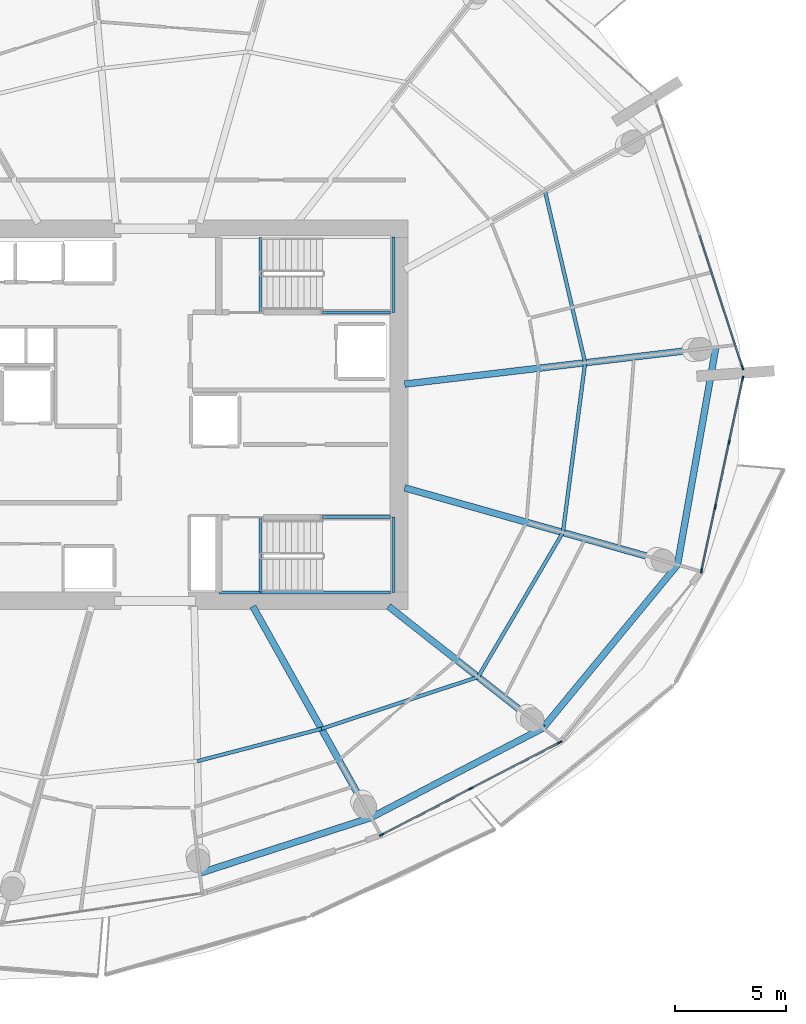
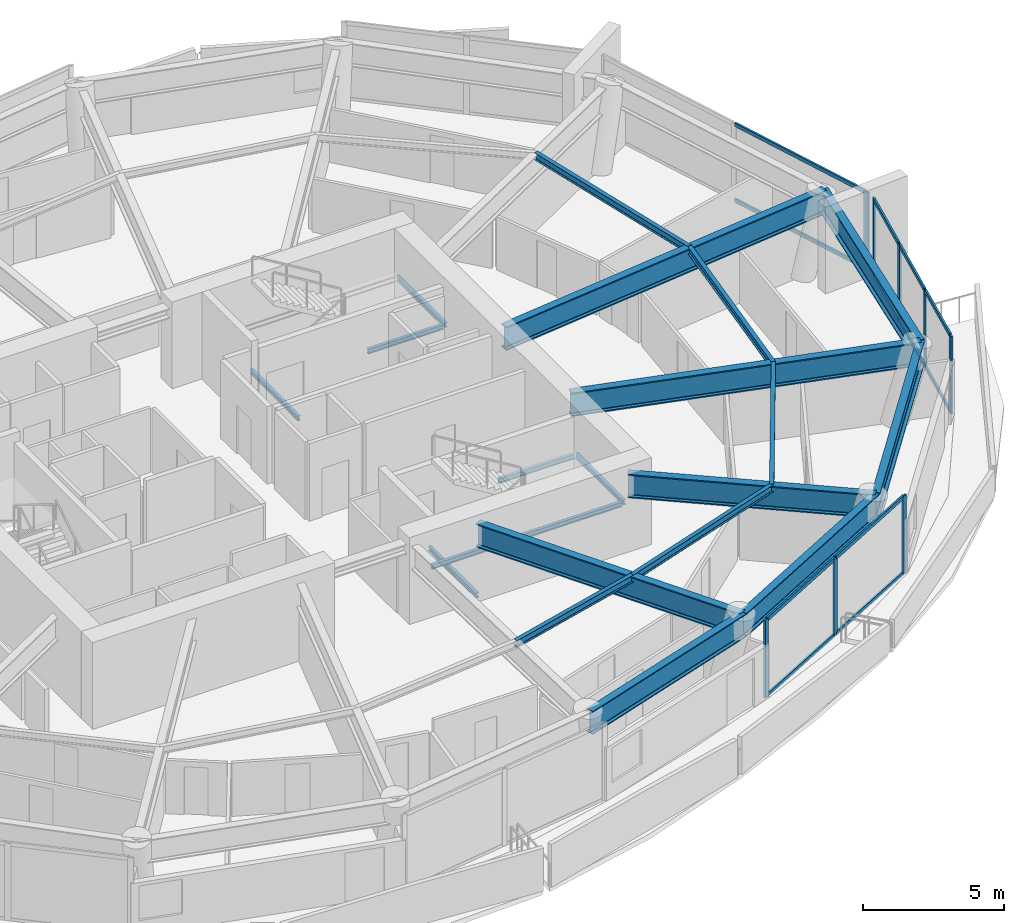
# One storey, part 6 of 19: 20 beams, 20 members, 3 elements without a shape of their own.
"""IFC4 building model written with IfcOpenShell, lengths in metres."""

from ifc_helpers import new_model, si_unit, direction, frame, origin, origin_2d, place, context, subcontext, project, spatial, rectangle, i_section, extrude, material, layer, layer_set, material_profile, profile_set, type_object, element, aggregate, save


model = new_model("IFC4")

# Units and contexts
model_context = context("Model", 3, precision=1e-05, world=origin(), true_north=direction((0.0, 1.0)))
body_context = subcontext(model_context, "Body", "Model", "MODEL_VIEW")
ifc_project = project(units=[si_unit("LENGTHUNIT", "METRE"), si_unit("AREAUNIT", "SQUARE_METRE"), si_unit("VOLUMEUNIT", "CUBIC_METRE"), si_unit("PLANEANGLEUNIT", "RADIAN"), si_unit("MASSUNIT", "GRAM", prefix="KILO")], contexts=[model_context])

# Site, building, storey
site_placement = place(None, origin())
site = spatial("IfcSite", under=ifc_project, at=site_placement, CompositionType="ELEMENT")
building_placement = place(site_placement, origin())
building = spatial("IfcBuilding", under=site, at=building_placement, Name="Kazma Halo Residences", CompositionType="ELEMENT")
storey_placement = place(building_placement, frame((0.0, 0.0, 172.800048828125)))
storey = spatial("IfcBuildingStorey", under=building, at=storey_placement, Name="L43", CompositionType="ELEMENT", Elevation=172.800048828125)

# Beams
ifc_material_1 = material(Name="Steel S355", Category="steel")
ifc_material_profile_1 = material_profile(ifc_material_1, i_section(OverallWidth=0.1650390625, OverallDepth=0.31005859375, WebThickness=0.005859375, FlangeThickness=0.009765625, FilletRadius=0.011962890625, at=origin_2d()), Name="W310x38.7")
ifc_profile_set_1 = profile_set([ifc_material_profile_1], Name="Steel S355")
beam_type_1 = type_object("IfcBeamType", Name="BM-SEC-W310B", PredefinedType="JOIST", material=ifc_profile_set_1)
beam_1_placement = place(storey_placement, frame((50.344970703125, 26.361083984375, 3.195068359375), z_axis=(0.967714475366, 0.252048991599, 0.0), x_axis=(-0.252048991599, 0.967714475366, 0.0)))
element("IfcBeam", 1, at=beam_1_placement, inside=storey, type_object=beam_type_1, Name="L43 circumferential floor joist 12", PredefinedType="JOIST", context=body_context, shape_type="SweptSolid", body=[
    extrude(i_section(OverallWidth=0.1650390625, OverallDepth=0.31005859375, WebThickness=0.005859375, FlangeThickness=0.009765625, FilletRadius=0.011962890625, at=origin_2d()), origin(), (0.0, 0.0, 1.0), 5.78369140625),
])
beam_2_placement = place(storey_placement, frame((55.94189453125, 27.81884765625, 3.195068359375), z_axis=(0.949268079729, 0.314467983756, 0.0), x_axis=(-0.314467983756, 0.949268079729, 0.0)))
element("IfcBeam", 2, at=beam_2_placement, inside=storey, type_object=beam_type_1, Name="L43 circumferential floor joist 13", PredefinedType="JOIST", context=body_context, shape_type="SweptSolid", body=[
    extrude(i_section(OverallWidth=0.1650390625, OverallDepth=0.31005859375, WebThickness=0.005859375, FlangeThickness=0.009765625, FilletRadius=0.011962890625, at=origin_2d()), origin(), (0.0, 0.0, 1.0), 7.452392578125),
])
beam_3_placement = place(storey_placement, frame((63.01611328125, 30.162353515625, 3.195068359375), z_axis=(0.506279372457, 0.862369524638, 0.0), x_axis=(-0.862369524638, 0.506279372457, 0.0)))
element("IfcBeam", 3, at=beam_3_placement, inside=storey, type_object=beam_type_1, Name="L43 circumferential floor joist 14", PredefinedType="JOIST", context=body_context, shape_type="SweptSolid", body=[
    extrude(i_section(OverallWidth=0.1650390625, OverallDepth=0.31005859375, WebThickness=0.005859375, FlangeThickness=0.009765625, FilletRadius=0.011962890625, at=origin_2d()), origin(), (0.0, 0.0, 1.0), 7.563720703125),
])
beam_4_placement = place(storey_placement, frame((66.845458984375, 36.68505859375, 3.195068359375), z_axis=(0.129968373396, 0.991518139984, 0.0), x_axis=(-0.991518139984, 0.129968373396, 0.0)))
element("IfcBeam", 4, at=beam_4_placement, inside=storey, type_object=beam_type_1, Name="L43 circumferential floor joist 15", PredefinedType="JOIST", context=body_context, shape_type="SweptSolid", body=[
    extrude(i_section(OverallWidth=0.1650390625, OverallDepth=0.31005859375, WebThickness=0.005859375, FlangeThickness=0.009765625, FilletRadius=0.011962890625, at=origin_2d()), origin(), (0.0, 0.0, 1.0), 7.72998046875),
])
beam_5_placement = place(storey_placement, frame((67.85009765625, 44.349365234375, 3.195068359375), z_axis=(-0.227801570938, 0.973707576369, 0.0), x_axis=(-0.973707576369, -0.227801570938, 0.0)))
element("IfcBeam", 5, at=beam_5_placement, inside=storey, type_object=beam_type_1, Name="L43 circumferential floor joist 16", PredefinedType="JOIST", context=body_context, shape_type="SweptSolid", body=[
    extrude(i_section(OverallWidth=0.1650390625, OverallDepth=0.31005859375, WebThickness=0.005859375, FlangeThickness=0.009765625, FilletRadius=0.011962890625, at=origin_2d()), origin(), (0.0, 0.0, 1.0), 7.960693359375),
])
ifc_material_profile_2 = material_profile(ifc_material_1, i_section(OverallWidth=0.302001953125, OverallDepth=1.01806640625, WebThickness=0.021484375, FlangeThickness=0.049072265625, FilletRadius=0.028076171875, at=origin_2d()), Name="W1000x443")
ifc_profile_set_2 = profile_set([ifc_material_profile_2], Name="Steel S355")
beam_type_2 = type_object("IfcBeamType", Name="BM-TRANS-W1000A", PredefinedType="BEAM", material=ifc_profile_set_2)
beam_6_placement = place(storey_placement, frame((52.84423828125, 33.35009765625, 2.841064453125), z_axis=(0.488617652452, -0.872498017025, 0.0), x_axis=(0.872498017025, 0.488617652452, 0.0)))
element("IfcBeam", 6, at=beam_6_placement, inside=storey, type_object=beam_type_2, Name="L43 podium radial transfer girder 13", PredefinedType="BEAM", context=body_context, shape_type="SweptSolid", body=[
    extrude(i_section(OverallWidth=0.302001953125, OverallDepth=1.01806640625, WebThickness=0.021484375, FlangeThickness=0.049072265625, FilletRadius=0.028076171875, at=origin_2d()), origin(), (0.0, 0.0, 1.0), 10.929931640625),
])
beam_7_placement = place(storey_placement, frame((58.972412109375, 33.35009765625, 2.841064453125), z_axis=(0.785313390711, -0.619098439967, 0.0), x_axis=(0.619098439967, 0.785313390711, 0.0)))
element("IfcBeam", 7, at=beam_7_placement, inside=storey, type_object=beam_type_2, Name="L43 podium radial transfer girder 14", PredefinedType="BEAM", context=body_context, shape_type="SweptSolid", body=[
    extrude(i_section(OverallWidth=0.302001953125, OverallDepth=1.01806640625, WebThickness=0.021484375, FlangeThickness=0.049072265625, FilletRadius=0.028076171875, at=origin_2d()), origin(), (0.0, 0.0, 1.0), 8.877685546875),
])
beam_8_placement = place(storey_placement, frame((59.699951171875, 38.7001953125, 2.841064453125), z_axis=(0.962454020105, -0.271444762676, 0.0), x_axis=(0.271444762676, 0.962454020105, 0.0)))
element("IfcBeam", 8, at=beam_8_placement, inside=storey, type_object=beam_type_2, Name="L43 podium radial transfer girder 15", PredefinedType="BEAM", context=body_context, shape_type="SweptSolid", body=[
    extrude(i_section(OverallWidth=0.302001953125, OverallDepth=1.01806640625, WebThickness=0.021484375, FlangeThickness=0.049072265625, FilletRadius=0.028076171875, at=origin_2d()), origin(), (0.0, 0.0, 1.0), 12.800537109375),
])
beam_9_placement = place(storey_placement, frame((59.699951171875, 43.384765625, 2.841064453125), z_axis=(0.993068862788, 0.11753396854, 0.0), x_axis=(-0.11753396854, 0.993068862788, 0.0)))
element("IfcBeam", 9, at=beam_9_placement, inside=storey, type_object=beam_type_2, Name="L43 podium radial transfer girder 16", PredefinedType="BEAM", context=body_context, shape_type="SweptSolid", body=[
    extrude(i_section(OverallWidth=0.302001953125, OverallDepth=1.01806640625, WebThickness=0.021484375, FlangeThickness=0.049072265625, FilletRadius=0.028076171875, at=origin_2d()), origin(), (0.0, 0.0, 1.0), 14.14990234375),
])
ifc_material_profile_3 = material_profile(ifc_material_1, i_section(OverallWidth=0.300048828125, OverallDepth=1.0, WebThickness=0.01904296875, FlangeThickness=0.0400390625, FilletRadius=0.02587890625, at=origin_2d()), Name="W1000x371")
ifc_profile_set_3 = profile_set([ifc_material_profile_3], Name="Steel S355")
beam_type_3 = type_object("IfcBeamType", Name="BM-TRANS-W1000B", PredefinedType="BEAM", material=ifc_profile_set_3)
beam_10_placement = place(storey_placement, frame((50.449951171875, 21.30029296875, 2.849853515625), z_axis=(0.951048627281, 0.30904127321, 0.0), x_axis=(-0.30904127321, 0.951048627281, 0.0)))
element("IfcBeam", 10, at=beam_10_placement, inside=storey, type_object=beam_type_3, Name="L43 perimeter ring beam 12", PredefinedType="BEAM", context=body_context, shape_type="SweptSolid", body=[
    extrude(i_section(OverallWidth=0.300048828125, OverallDepth=1.0, WebThickness=0.01904296875, FlangeThickness=0.0400390625, FilletRadius=0.02587890625, at=origin_2d()), origin(), (0.0, 0.0, 1.0), 8.133056640625),
])
beam_11_placement = place(storey_placement, frame((58.184814453125, 23.813720703125, 2.849853515625), z_axis=(0.886961243394, 0.461843861838, 0.0), x_axis=(-0.461843861838, 0.886961243394, 0.0)))
element("IfcBeam", 11, at=beam_11_placement, inside=storey, type_object=beam_type_3, Name="L43 perimeter ring beam 13", PredefinedType="BEAM", context=body_context, shape_type="SweptSolid", body=[
    extrude(i_section(OverallWidth=0.300048828125, OverallDepth=1.0, WebThickness=0.01904296875, FlangeThickness=0.0400390625, FilletRadius=0.02587890625, at=origin_2d()), origin(), (0.0, 0.0, 1.0), 8.748046875),
])
beam_12_placement = place(storey_placement, frame((65.944091796875, 27.85400390625, 2.849853515625), z_axis=(0.63601715545, 0.771674917289, 0.0), x_axis=(-0.771674917289, 0.63601715545, 0.0)))
element("IfcBeam", 12, at=beam_12_placement, inside=storey, type_object=beam_type_3, Name="L43 perimeter ring beam 14", PredefinedType="BEAM", context=body_context, shape_type="SweptSolid", body=[
    extrude(i_section(OverallWidth=0.300048828125, OverallDepth=1.0, WebThickness=0.01904296875, FlangeThickness=0.0400390625, FilletRadius=0.02587890625, at=origin_2d()), origin(), (0.0, 0.0, 1.0), 9.552734375),
])
beam_13_placement = place(storey_placement, frame((72.019775390625, 35.2255859375, 2.849853515625), z_axis=(0.173648484202, 0.984807698962, 0.0), x_axis=(-0.984807698962, 0.173648484202, 0.0)))
element("IfcBeam", 13, at=beam_13_placement, inside=storey, type_object=beam_type_3, Name="L43 perimeter ring beam 15", PredefinedType="BEAM", context=body_context, shape_type="SweptSolid", body=[
    extrude(i_section(OverallWidth=0.300048828125, OverallDepth=1.0, WebThickness=0.01904296875, FlangeThickness=0.0400390625, FilletRadius=0.02587890625, at=origin_2d()), origin(), (0.0, 0.0, 1.0), 9.973876953125),
])
ifc_material_profile_4 = material_profile(ifc_material_1, i_section(OverallWidth=0.133056640625, OverallDepth=0.20703125, WebThickness=0.005859375, FlangeThickness=0.00830078125, FilletRadius=0.010009765625, at=origin_2d()), Name="W200x26.6")
ifc_profile_set_4 = profile_set([ifc_material_profile_4], Name="Steel S355")
beam_type_4 = type_object("IfcBeamType", Name="BM-TRIM-W200", PredefinedType="BEAM", material=ifc_profile_set_4)
for number, where, z_axis, x_axis, name in (
    (14, (53.199951171875, 46.6201171875, -0.360107421875), (0.0, 1.0, 0.0), (-1.0, 0.0, 0.0), "L43 ST-02 floor landing support beam"),
    (15, (53.199951171875, 34.0, -0.360107421875), (0.0, 1.0, 0.0), (-1.0, 0.0, 0.0), "L43 ST-03 floor landing support beam"),
):
    element("IfcBeam", number, at=place(storey_placement, frame(where, z_axis=z_axis, x_axis=x_axis)), inside=storey, type_object=beam_type_4, Name=name, PredefinedType="BEAM", context=body_context, shape_type="SweptSolid", body=[
        extrude(i_section(OverallWidth=0.133056640625, OverallDepth=0.20703125, WebThickness=0.005859375, FlangeThickness=0.00830078125, FilletRadius=0.010009765625, at=origin_2d()), origin(), (0.0, 0.0, 1.0), 3.3798828125),
    ])
beam_14_placement = place(storey_placement, frame((56.0, 46.6201171875, 1.570068359375), z_axis=(1.0, 0.0, 0.0), x_axis=(0.0, 1.0, 0.0)))
element("IfcBeam", 16, at=beam_14_placement, inside=storey, type_object=beam_type_4, Name="L43 ST-02 landing south wall ledger", PredefinedType="BEAM", context=body_context, shape_type="SweptSolid", body=[
    extrude(i_section(OverallWidth=0.133056640625, OverallDepth=0.20703125, WebThickness=0.005859375, FlangeThickness=0.00830078125, FilletRadius=0.010009765625, at=origin_2d()), origin(), (0.0, 0.0, 1.0), 3.070068359375),
])
beam_15_placement = place(storey_placement, frame((59.18994140625, 46.6201171875, 1.570068359375), z_axis=(0.0, 1.0, 0.0), x_axis=(-1.0, 0.0, 0.0)))
element("IfcBeam", 17, at=beam_15_placement, inside=storey, type_object=beam_type_4, Name="L43 ST-02 landing end wall ledger", PredefinedType="BEAM", context=body_context, shape_type="SweptSolid", body=[
    extrude(i_section(OverallWidth=0.133056640625, OverallDepth=0.20703125, WebThickness=0.005859375, FlangeThickness=0.00830078125, FilletRadius=0.010009765625, at=origin_2d()), origin(), (0.0, 0.0, 1.0), 3.39990234375),
])
beam_16_placement = place(storey_placement, frame((51.31005859375, 33.97998046875, 1.570068359375), z_axis=(1.0, 0.0, 0.0), x_axis=(0.0, 1.0, 0.0)))
element("IfcBeam", 18, at=beam_16_placement, inside=storey, type_object=beam_type_4, Name="L43 ST-03 landing south wall ledger", PredefinedType="BEAM", context=body_context, shape_type="SweptSolid", body=[
    extrude(i_section(OverallWidth=0.133056640625, OverallDepth=0.20703125, WebThickness=0.005859375, FlangeThickness=0.00830078125, FilletRadius=0.010009765625, at=origin_2d()), origin(), (0.0, 0.0, 1.0), 7.760009765625),
])
beam_17_placement = place(storey_placement, frame((56.0, 37.3798828125, 1.570068359375), z_axis=(1.0, 0.0, 0.0), x_axis=(0.0, 1.0, 0.0)))
element("IfcBeam", 19, at=beam_17_placement, inside=storey, type_object=beam_type_4, Name="L43 ST-03 landing north wall ledger", PredefinedType="BEAM", context=body_context, shape_type="SweptSolid", body=[
    extrude(i_section(OverallWidth=0.133056640625, OverallDepth=0.20703125, WebThickness=0.005859375, FlangeThickness=0.00830078125, FilletRadius=0.010009765625, at=origin_2d()), origin(), (0.0, 0.0, 1.0), 3.070068359375),
])
beam_18_placement = place(storey_placement, frame((59.18994140625, 33.97998046875, 1.570068359375), z_axis=(0.0, 1.0, 0.0), x_axis=(-1.0, 0.0, 0.0)))
element("IfcBeam", 20, at=beam_18_placement, inside=storey, type_object=beam_type_4, Name="L43 ST-03 landing end wall ledger", PredefinedType="BEAM", context=body_context, shape_type="SweptSolid", body=[
    extrude(i_section(OverallWidth=0.133056640625, OverallDepth=0.20703125, WebThickness=0.005859375, FlangeThickness=0.00830078125, FilletRadius=0.010009765625, at=origin_2d()), origin(), (0.0, 0.0, 1.0), 3.39990234375),
])

# Curtain wall, members
ifc_material_2 = material(Name="Aluminium AW-6063 T6 and Triple-Silver Low-E Glass", Category="aluminium")
ifc_layer = layer(ifc_material_2, 0.219970703125)
ifc_layer_set = layer_set([ifc_layer], Name="Aluminium AW-6063 T6 and Triple-Silver Low-E Glass")
curtain_wall_type = type_object("IfcCurtainWallType", Name="CW-SYS-4", PredefinedType="NOTDEFINED", material=ifc_layer_set)
curtain_wall_1_placement = place(storey_placement, origin())
curtain_wall_1 = element("IfcCurtainWall", 21, at=curtain_wall_1_placement, inside=storey, type_object=curtain_wall_type, Name="L43 unitised curtain wall B13", PredefinedType="NOTDEFINED")
ifc_material_3 = material(Name="Aluminium AW-6063 T6", Category="aluminium")
ifc_material_profile_5 = material_profile(ifc_material_3, rectangle(XDim=0.074951171875, YDim=0.219970703125, at=origin_2d()), Name="CWM-75x220")
ifc_profile_set_5 = profile_set([ifc_material_profile_5], Name="Aluminium AW-6063 T6")
member_type_1 = type_object("IfcMemberType", Name="CW-SYS-4-MUL", PredefinedType="MULLION", material=ifc_profile_set_5)
member_1_placement = place(storey_placement, frame((58.66552734375, 23.0322265625, 0.0), z_axis=(0.0, 0.0, 1.0), x_axis=(-0.460837484552, 0.887484542306, 0.0)))
member_1 = element("IfcMember", 22, at=member_1_placement, type_object=member_type_1, Name="CWS-4 mullion 1", PredefinedType="MULLION", context=body_context, shape_type="SweptSolid", body=[
    extrude(rectangle(XDim=0.074951171875, YDim=0.219970703125, at=origin_2d()), origin(), (0.0, 0.0, 1.0), 3.349853515625),
])
member_2_placement = place(storey_placement, frame((62.686767578125, 25.120361328125, 0.0), z_axis=(0.0, 0.0, 1.0), x_axis=(-0.460837484552, 0.887484542306, 0.0)))
member_2 = element("IfcMember", 23, at=member_2_placement, type_object=member_type_1, Name="CWS-4 mullion 2", PredefinedType="MULLION", context=body_context, shape_type="SweptSolid", body=[
    extrude(rectangle(XDim=0.074951171875, YDim=0.219970703125, at=origin_2d()), origin(), (0.0, 0.0, 1.0), 3.349853515625),
])
member_3_placement = place(storey_placement, frame((66.7080078125, 27.208251953125, 0.0), z_axis=(0.0, 0.0, 1.0), x_axis=(-0.460837484552, 0.887484542306, 0.0)))
member_3 = element("IfcMember", 24, at=member_3_placement, type_object=member_type_1, Name="CWS-4 mullion 3", PredefinedType="MULLION", context=body_context, shape_type="SweptSolid", body=[
    extrude(rectangle(XDim=0.074951171875, YDim=0.219970703125, at=origin_2d()), origin(), (0.0, 0.0, 1.0), 3.349853515625),
])

curtain_wall_2_placement = place(storey_placement, origin())
curtain_wall_2 = element("IfcCurtainWall", 25, at=curtain_wall_2_placement, inside=storey, type_object=curtain_wall_type, Name="L43 unitised curtain wall B15", PredefinedType="NOTDEFINED")
member_4_placement = place(storey_placement, frame((73.105224609375, 34.95849609375, 0.0), z_axis=(0.0, 0.0, 1.0), x_axis=(-0.977764957684, 0.209703809037, 0.0)))
member_4 = element("IfcMember", 26, at=member_4_placement, type_object=member_type_1, Name="CWS-4 mullion 1", PredefinedType="MULLION", context=body_context, shape_type="SweptSolid", body=[
    extrude(rectangle(XDim=0.074951171875, YDim=0.219970703125, at=origin_2d()), origin(), (0.0, 0.0, 1.0), 3.349853515625),
])
member_5_placement = place(storey_placement, frame((73.72314453125, 37.839111328125, 0.0), z_axis=(0.0, 0.0, 1.0), x_axis=(-0.977764957684, 0.209703809037, 0.0)))
member_5 = element("IfcMember", 27, at=member_5_placement, type_object=member_type_1, Name="CWS-4 mullion 2", PredefinedType="MULLION", context=body_context, shape_type="SweptSolid", body=[
    extrude(rectangle(XDim=0.074951171875, YDim=0.219970703125, at=origin_2d()), origin(), (0.0, 0.0, 1.0), 3.349853515625),
])
member_6_placement = place(storey_placement, frame((74.3486328125, 40.75634765625, 0.0), z_axis=(0.0, 0.0, 1.0), x_axis=(-0.977764957684, 0.209703809037, 0.0)))
member_6 = element("IfcMember", 28, at=member_6_placement, type_object=member_type_1, Name="CWS-4 mullion 3", PredefinedType="MULLION", context=body_context, shape_type="SweptSolid", body=[
    extrude(rectangle(XDim=0.074951171875, YDim=0.219970703125, at=origin_2d()), origin(), (0.0, 0.0, 1.0), 3.349853515625),
])
member_7_placement = place(storey_placement, frame((74.966552734375, 43.63671875, 0.0), z_axis=(0.0, 0.0, 1.0), x_axis=(-0.977764957684, 0.209703809037, 0.0)))
member_7 = element("IfcMember", 29, at=member_7_placement, type_object=member_type_1, Name="CWS-4 mullion 4", PredefinedType="MULLION", context=body_context, shape_type="SweptSolid", body=[
    extrude(rectangle(XDim=0.074951171875, YDim=0.219970703125, at=origin_2d()), origin(), (0.0, 0.0, 1.0), 3.349853515625),
])

# Curtain wall, member
curtain_wall_3_placement = place(storey_placement, origin())
curtain_wall_3 = element("IfcCurtainWall", 30, at=curtain_wall_3_placement, inside=storey, type_object=curtain_wall_type, Name="L43 unitised curtain wall B16", PredefinedType="NOTDEFINED")
member_8_placement = place(storey_placement, frame((74.955810546875, 44.13427734375, 0.0), z_axis=(0.0, 0.0, 1.0), x_axis=(-0.951057547609, -0.3090138203, 0.0)))
member_8 = element("IfcMember", 31, at=member_8_placement, type_object=member_type_1, Name="CWS-4 mullion 1", PredefinedType="MULLION", context=body_context, shape_type="SweptSolid", body=[
    extrude(rectangle(XDim=0.074951171875, YDim=0.219970703125, at=origin_2d()), origin(), (0.0, 0.0, 1.0), 3.349853515625),
])

# Member
ifc_material_profile_6 = material_profile(ifc_material_3, rectangle(XDim=0.074951171875, YDim=0.1650390625, at=origin_2d()), Name="CWT-75x165")
ifc_profile_set_6 = profile_set([ifc_material_profile_6], Name="Aluminium AW-6063 T6")
member_type_2 = type_object("IfcMemberType", Name="CW-SYS-4-TRN", PredefinedType="USERDEFINED", material=ifc_profile_set_6)
member_9_placement = place(storey_placement, frame((58.69873046875, 23.049560546875, 0.037353515625), z_axis=(0.887484872803, 0.460836848077, 0.0), x_axis=(-0.460836848077, 0.887484872803, 0.0)))
member_9 = element("IfcMember", 32, at=member_9_placement, type_object=member_type_2, Name="CWS-4 transom 1.1", ObjectType="TRANSOM", PredefinedType="USERDEFINED", context=body_context, shape_type="SweptSolid", body=[
    extrude(rectangle(XDim=0.074951171875, YDim=0.1650390625, at=origin_2d()), origin(), (0.0, 0.0, 1.0), 4.4560546875),
])

member_10_placement = place(storey_placement, frame((58.69873046875, 23.049560546875, 3.3125), z_axis=(0.887484872803, 0.460836848077, 0.0), x_axis=(-0.460836848077, 0.887484872803, 0.0)))
member_10 = element("IfcMember", 33, at=member_10_placement, type_object=member_type_2, Name="CWS-4 transom 1.2", ObjectType="TRANSOM", PredefinedType="USERDEFINED", context=body_context, shape_type="SweptSolid", body=[
    extrude(rectangle(XDim=0.074951171875, YDim=0.1650390625, at=origin_2d()), origin(), (0.0, 0.0, 1.0), 4.4560546875),
])

member_11_placement = place(storey_placement, frame((62.719970703125, 25.137451171875, 0.037353515625), z_axis=(0.887484872803, 0.460836848077, 0.0), x_axis=(-0.460836848077, 0.887484872803, 0.0)))
member_11 = element("IfcMember", 34, at=member_11_placement, type_object=member_type_2, Name="CWS-4 transom 2.1", ObjectType="TRANSOM", PredefinedType="USERDEFINED", context=body_context, shape_type="SweptSolid", body=[
    extrude(rectangle(XDim=0.074951171875, YDim=0.1650390625, at=origin_2d()), origin(), (0.0, 0.0, 1.0), 4.4560546875),
])

member_12_placement = place(storey_placement, frame((62.719970703125, 25.137451171875, 3.3125), z_axis=(0.887484872803, 0.460836848077, 0.0), x_axis=(-0.460836848077, 0.887484872803, 0.0)))
member_12 = element("IfcMember", 35, at=member_12_placement, type_object=member_type_2, Name="CWS-4 transom 2.2", ObjectType="TRANSOM", PredefinedType="USERDEFINED", context=body_context, shape_type="SweptSolid", body=[
    extrude(rectangle(XDim=0.074951171875, YDim=0.1650390625, at=origin_2d()), origin(), (0.0, 0.0, 1.0), 4.4560546875),
])

aggregate(curtain_wall_1, [member_1, member_2, member_3, member_9, member_10, member_11, member_12])

member_13_placement = place(storey_placement, frame((73.113037109375, 34.9951171875, 0.037353515625), z_axis=(0.209703309269, 0.977765064871, 0.0), x_axis=(-0.977765064871, 0.209703309269, 0.0)))
member_13 = element("IfcMember", 36, at=member_13_placement, type_object=member_type_2, Name="CWS-4 transom 1.1", ObjectType="TRANSOM", PredefinedType="USERDEFINED", context=body_context, shape_type="SweptSolid", body=[
    extrude(rectangle(XDim=0.074951171875, YDim=0.1650390625, at=origin_2d()), origin(), (0.0, 0.0, 1.0), 2.870849609375),
])

member_14_placement = place(storey_placement, frame((73.113037109375, 34.9951171875, 3.3125), z_axis=(0.209703309269, 0.977765064871, 0.0), x_axis=(-0.977765064871, 0.209703309269, 0.0)))
member_14 = element("IfcMember", 37, at=member_14_placement, type_object=member_type_2, Name="CWS-4 transom 1.2", ObjectType="TRANSOM", PredefinedType="USERDEFINED", context=body_context, shape_type="SweptSolid", body=[
    extrude(rectangle(XDim=0.074951171875, YDim=0.1650390625, at=origin_2d()), origin(), (0.0, 0.0, 1.0), 2.870849609375),
])

member_15_placement = place(storey_placement, frame((73.73095703125, 37.875732421875, 0.037353515625), z_axis=(0.209689601293, 0.977768004748, 0.0), x_axis=(-0.977768004748, 0.209689601293, 0.0)))
member_15 = element("IfcMember", 38, at=member_15_placement, type_object=member_type_2, Name="CWS-4 transom 2.1", ObjectType="TRANSOM", PredefinedType="USERDEFINED", context=body_context, shape_type="SweptSolid", body=[
    extrude(rectangle(XDim=0.074951171875, YDim=0.1650390625, at=origin_2d()), origin(), (0.0, 0.0, 1.0), 2.908447265625),
])

member_16_placement = place(storey_placement, frame((73.73095703125, 37.875732421875, 3.3125), z_axis=(0.209689601293, 0.977768004748, 0.0), x_axis=(-0.977768004748, 0.209689601293, 0.0)))
member_16 = element("IfcMember", 39, at=member_16_placement, type_object=member_type_2, Name="CWS-4 transom 2.2", ObjectType="TRANSOM", PredefinedType="USERDEFINED", context=body_context, shape_type="SweptSolid", body=[
    extrude(rectangle(XDim=0.074951171875, YDim=0.1650390625, at=origin_2d()), origin(), (0.0, 0.0, 1.0), 2.908447265625),
])

member_17_placement = place(storey_placement, frame((74.356689453125, 40.79296875, 0.037353515625), z_axis=(0.209703309269, 0.977765064871, 0.0), x_axis=(-0.977765064871, 0.209703309269, 0.0)))
member_17 = element("IfcMember", 40, at=member_17_placement, type_object=member_type_2, Name="CWS-4 transom 3.1", ObjectType="TRANSOM", PredefinedType="USERDEFINED", context=body_context, shape_type="SweptSolid", body=[
    extrude(rectangle(XDim=0.074951171875, YDim=0.1650390625, at=origin_2d()), origin(), (0.0, 0.0, 1.0), 2.870849609375),
])

member_18_placement = place(storey_placement, frame((74.356689453125, 40.79296875, 3.3125), z_axis=(0.209703309269, 0.977765064871, 0.0), x_axis=(-0.977765064871, 0.209703309269, 0.0)))
member_18 = element("IfcMember", 41, at=member_18_placement, type_object=member_type_2, Name="CWS-4 transom 3.2", ObjectType="TRANSOM", PredefinedType="USERDEFINED", context=body_context, shape_type="SweptSolid", body=[
    extrude(rectangle(XDim=0.074951171875, YDim=0.1650390625, at=origin_2d()), origin(), (0.0, 0.0, 1.0), 2.870849609375),
])

aggregate(curtain_wall_2, [member_4, member_5, member_6, member_7, member_13, member_14, member_15, member_16, member_17, member_18])

member_19_placement = place(storey_placement, frame((74.9443359375, 44.169921875, 0.037353515625), z_axis=(-0.309006258762, 0.95106000444, 0.0), x_axis=(-0.95106000444, -0.309006258762, 0.0)))
member_19 = element("IfcMember", 42, at=member_19_placement, type_object=member_type_2, Name="CWS-4 transom 1.1", ObjectType="TRANSOM", PredefinedType="USERDEFINED", context=body_context, shape_type="SweptSolid", body=[
    extrude(rectangle(XDim=0.074951171875, YDim=0.1650390625, at=origin_2d()), origin(), (0.0, 0.0, 1.0), 6.22509765625),
])

member_20_placement = place(storey_placement, frame((74.9443359375, 44.169921875, 3.3125), z_axis=(-0.309006258762, 0.95106000444, 0.0), x_axis=(-0.95106000444, -0.309006258762, 0.0)))
member_20 = element("IfcMember", 43, at=member_20_placement, type_object=member_type_2, Name="CWS-4 transom 1.2", ObjectType="TRANSOM", PredefinedType="USERDEFINED", context=body_context, shape_type="SweptSolid", body=[
    extrude(rectangle(XDim=0.074951171875, YDim=0.1650390625, at=origin_2d()), origin(), (0.0, 0.0, 1.0), 6.22509765625),
])

aggregate(curtain_wall_3, [member_8, member_19, member_20])

save(model, "model.ifc")
